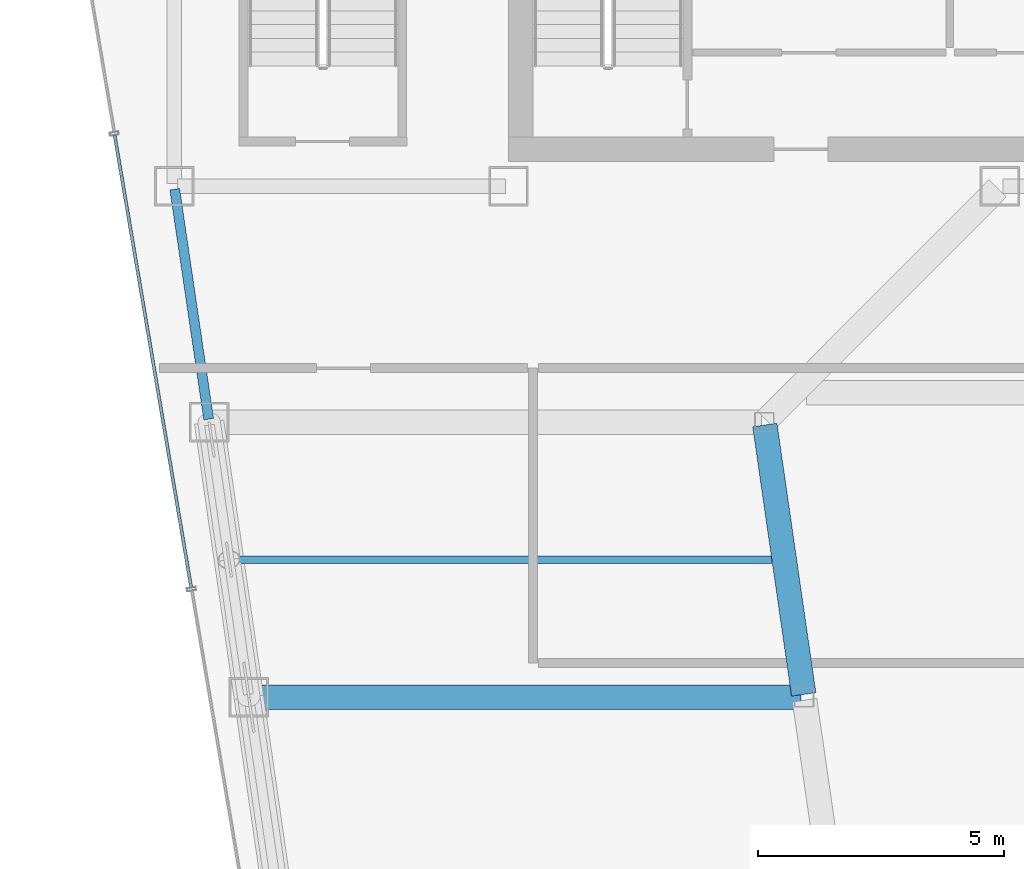
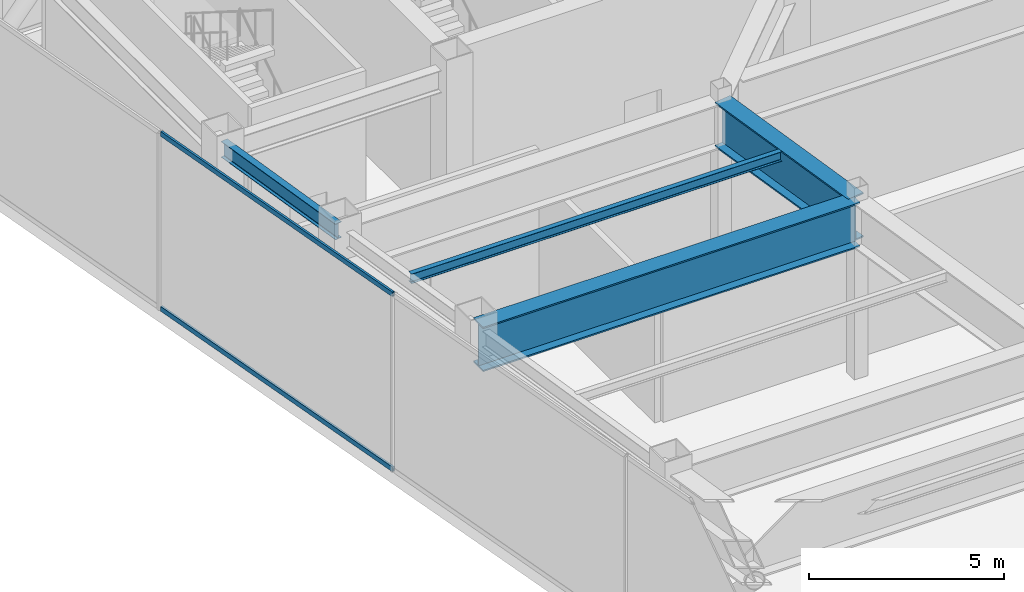
# One storey, part 11 of 34: 4 beams, 2 members, 1 element without a shape of its own.
"""IFC4 building model written with IfcOpenShell, lengths in metres."""

from ifc_helpers import new_model, si_unit, direction, frame, origin, origin_2d, place, context, subcontext, project, spatial, hollow_rectangle, i_section, extrude, material, material_profile, profile_set, type_object, element, aggregate, save


model = new_model("IFC4")

# Units and contexts
model_context = context("Model", 3, precision=1e-05, world=origin(), true_north=direction((0.0, 1.0)))
body_context = subcontext(model_context, "Body", "Model", "MODEL_VIEW")
ifc_project = project(units=[si_unit("LENGTHUNIT", "METRE"), si_unit("AREAUNIT", "SQUARE_METRE"), si_unit("VOLUMEUNIT", "CUBIC_METRE"), si_unit("PLANEANGLEUNIT", "RADIAN"), si_unit("MASSUNIT", "GRAM", prefix="KILO")], contexts=[model_context])

# Site, building, storey
site_placement = place(None, origin())
site = spatial("IfcSite", under=ifc_project, at=site_placement, CompositionType="ELEMENT")
building_placement = place(site_placement, origin())
building = spatial("IfcBuilding", under=site, at=building_placement, Name="Saevonmaru Cultural Tower", CompositionType="ELEMENT")
storey_placement = place(building_placement, frame((0.0, 0.0, 224.60009765625)))
storey = spatial("IfcBuildingStorey", under=building, at=storey_placement, Name="L52", CompositionType="ELEMENT", Elevation=224.60009765625)

# Beams
ifc_material_1 = material(Name="Steel SM355", Category="steel")
ifc_material_profile_1 = material_profile(ifc_material_1, i_section(OverallWidth=0.14990234375, OverallDepth=0.300048828125, WebThickness=0.006591796875, FlangeThickness=0.009033203125, FilletRadius=0.012939453125, at=origin_2d()), Name="H-300x150x6.5x9")
ifc_profile_set_1 = profile_set([ifc_material_profile_1], Name="Steel SM355")
beam_type_1 = type_object("IfcBeamType", Name="BM-J-H300", PredefinedType="JOIST", material=ifc_profile_set_1)
beam_1_placement = place(storey_placement, frame((7.972412109375, 34.800048828125, 5.39990234375), z_axis=(1.0, 0.0, 0.0), x_axis=(0.0, 1.0, 0.0)))
element("IfcBeam", 1, at=beam_1_placement, inside=storey, type_object=beam_type_1, Name="L52 West Wing Floor Joist 3", PredefinedType="JOIST", context=body_context, shape_type="SweptSolid", body=[
    extrude(i_section(OverallWidth=0.14990234375, OverallDepth=0.300048828125, WebThickness=0.006591796875, FlangeThickness=0.009033203125, FilletRadius=0.012939453125, at=origin_2d()), origin(), (0.0, 0.0, 1.0), 10.982177734375),
])
ifc_material_profile_2 = material_profile(ifc_material_1, i_section(OverallWidth=0.199951171875, OverallDepth=0.5, WebThickness=0.010009765625, FlangeThickness=0.01611328125, FilletRadius=0.02001953125, at=origin_2d()), Name="H-500x200x10x16")
ifc_profile_set_2 = profile_set([ifc_material_profile_2], Name="Steel SM355")
beam_type_2 = type_object("IfcBeamType", Name="BM-SP-H500", PredefinedType="SPANDREL", material=ifc_profile_set_2)
beam_2_placement = place(storey_placement, frame((7.499267578125, 37.659423828125, 5.2998046875), z_axis=(-0.145912860028, 0.989297446312, 0.0), x_axis=(-0.989297446312, -0.145912860028, 0.0)))
element("IfcBeam", 2, at=beam_2_placement, inside=storey, type_object=beam_type_2, Name="L52 West Splayed Spandrel 4", PredefinedType="SPANDREL", context=body_context, shape_type="SweptSolid", body=[
    extrude(i_section(OverallWidth=0.199951171875, OverallDepth=0.5, WebThickness=0.010009765625, FlangeThickness=0.01611328125, FilletRadius=0.02001953125, at=origin_2d()), origin(), (0.0, 0.0, 1.0), 4.731689453125),
])
ifc_material_2 = material(Name="Steel HSA600 (600 MPa)", Category="steel")
ifc_material_profile_3 = material_profile(ifc_material_2, i_section(OverallWidth=0.5, OverallDepth=1.39990234375, WebThickness=0.02392578125, FlangeThickness=0.044921875, at=origin_2d()), Name="PG-1400x500x24x45")
ifc_profile_set_3 = profile_set([ifc_material_profile_3], Name="Steel HSA600 (600 MPa)")
beam_type_3 = type_object("IfcBeamType", Name="BM-TG-PG1400", PredefinedType="BEAM", material=ifc_profile_set_3)
beam_3_placement = place(storey_placement, frame((19.6083984375, 32.059326171875, 4.849853515625), z_axis=(-0.142964121327, 0.989727871697, 0.0), x_axis=(-0.989727871697, -0.142964121327, 0.0)))
element("IfcBeam", 3, at=beam_3_placement, inside=storey, type_object=beam_type_3, Name="L52 West Atrium Girder 3", PredefinedType="BEAM", context=body_context, shape_type="SweptSolid", body=[
    extrude(i_section(OverallWidth=0.5, OverallDepth=1.39990234375, WebThickness=0.02392578125, FlangeThickness=0.044921875, at=origin_2d()), origin(), (0.0, 0.0, 1.0), 5.5380859375),
])
beam_4_placement = place(storey_placement, frame((8.376953125, 32.0, 4.849853515625), z_axis=(1.0, 0.0, 0.0), x_axis=(0.0, 1.0, 0.0)))
element("IfcBeam", 4, at=beam_4_placement, inside=storey, type_object=beam_type_3, Name="L52 West Wing Transverse Girder 3", PredefinedType="BEAM", context=body_context, shape_type="SweptSolid", body=[
    extrude(i_section(OverallWidth=0.5, OverallDepth=1.39990234375, WebThickness=0.02392578125, FlangeThickness=0.044921875, at=origin_2d()), origin(), (0.0, 0.0, 1.0), 11.179931640625),
])

# Curtain wall, members
ifc_material_3 = material(Name="Satin Bronze Anodised Aluminium", Category="aluminium")
curtain_wall_type = type_object("IfcCurtainWallType", Name="CW-TYP-B", PredefinedType="NOTDEFINED", material=ifc_material_3)
curtain_wall_placement = place(storey_placement, origin())
curtain_wall = element("IfcCurtainWall", 5, at=curtain_wall_placement, inside=storey, type_object=curtain_wall_type, Name="L52 Wind-Floor Acoustic Louvre Screen E12", PredefinedType="NOTDEFINED")
ifc_material_profile_4 = material_profile(ifc_material_3, hollow_rectangle(XDim=0.06494140625, YDim=0.14990234375, WallThickness=0.00390625, at=origin_2d()), Name="ALU-TRAN-150x65x4")
ifc_profile_set_4 = profile_set([ifc_material_profile_4], Name="Satin Bronze Anodised Aluminium")
member_type = type_object("IfcMemberType", Name="TR-CW-150x65", PredefinedType="USERDEFINED", material=ifc_profile_set_4)
member_1_placement = place(storey_placement, frame((5.5849609375, 43.4384765625, 0.032470703125), z_axis=(0.166916960754, -0.985970957084, 0.0), x_axis=(0.985970957084, 0.166916960754, 0.0)))
member_1 = element("IfcMember", 6, at=member_1_placement, type_object=member_type, Name="CW-TW-L52-E12 transom 2.1", ObjectType="TRANSOM", PredefinedType="USERDEFINED", context=body_context, shape_type="SweptSolid", body=[
    extrude(hollow_rectangle(XDim=0.06494140625, YDim=0.14990234375, WallThickness=0.00390625, at=origin_2d()), origin(), (0.0, 0.0, 1.0), 9.337646484375),
])
member_2_placement = place(storey_placement, frame((5.5849609375, 43.4384765625, 5.517333984375), z_axis=(0.166916960754, -0.985970957084, 0.0), x_axis=(0.985970957084, 0.166916960754, 0.0)))
member_2 = element("IfcMember", 7, at=member_2_placement, type_object=member_type, Name="CW-TW-L52-E12 transom 2.2", ObjectType="TRANSOM", PredefinedType="USERDEFINED", context=body_context, shape_type="SweptSolid", body=[
    extrude(hollow_rectangle(XDim=0.06494140625, YDim=0.14990234375, WallThickness=0.00390625, at=origin_2d()), origin(), (0.0, 0.0, 1.0), 9.337646484375),
])
aggregate(curtain_wall, [member_1, member_2])

save(model, "model.ifc")
